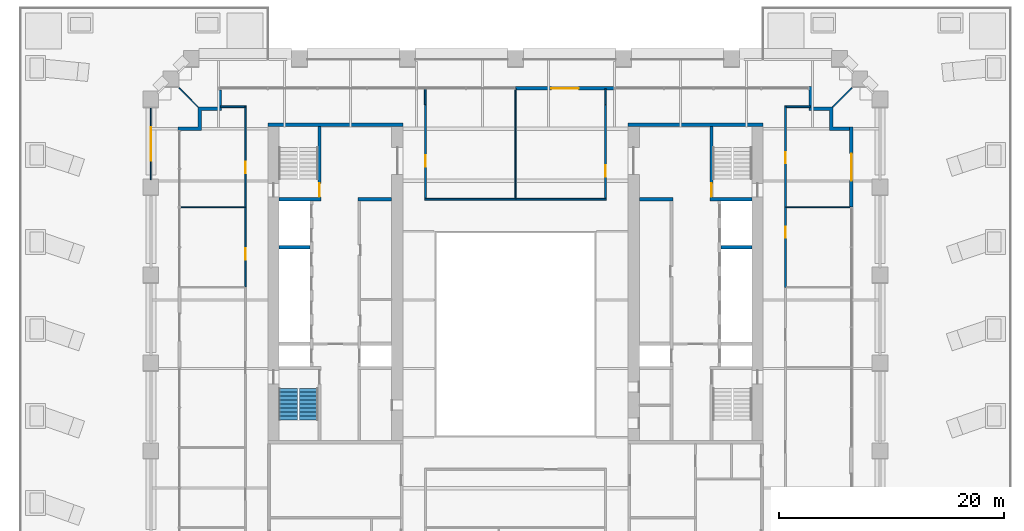
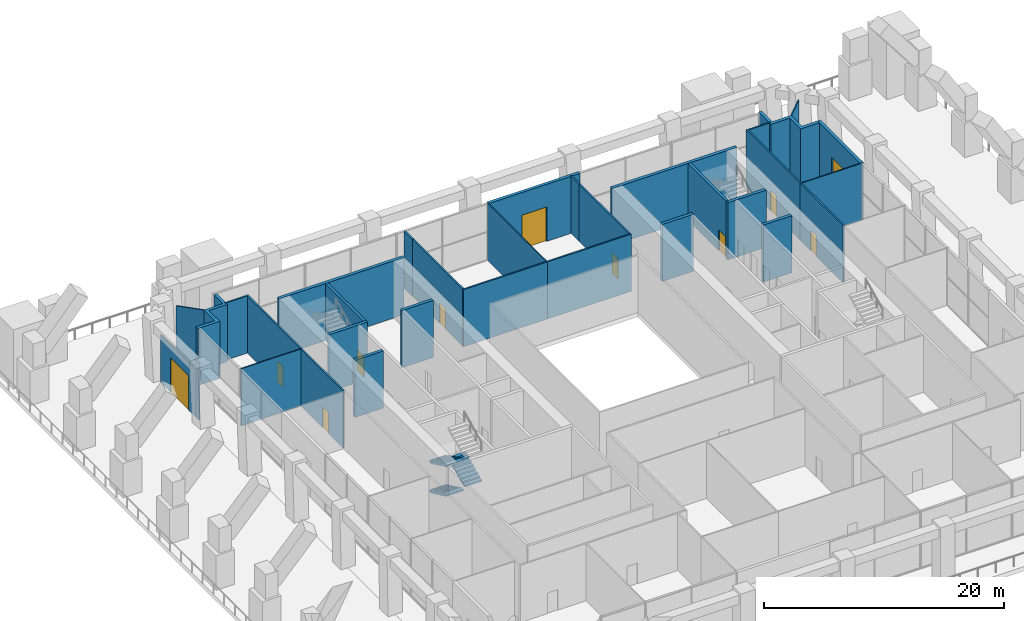
# One storey, part 16 of 20: 33 walls, 11 doors, 3 stair flights, 11 openings, 1 element without a shape of its own.
"""IFC4 building model written with IfcOpenShell, lengths in metres."""

from ifc_helpers import new_model, si_unit, direction, frame, frame_2d, origin, place, context, subcontext, project, spatial, polyline, rectangle, outline, extrude, material, layer, layer_set, type_object, element, fill, aggregate, save


model = new_model("IFC4")

# Units and contexts
model_context = context("Model", 3, precision=1e-05, world=origin(), true_north=direction((0.0, 1.0)))
body_context = subcontext(model_context, "Body", "Model", "MODEL_VIEW")
ifc_project = project(units=[si_unit("LENGTHUNIT", "METRE"), si_unit("AREAUNIT", "SQUARE_METRE"), si_unit("VOLUMEUNIT", "CUBIC_METRE"), si_unit("PLANEANGLEUNIT", "RADIAN"), si_unit("MASSUNIT", "GRAM", prefix="KILO")], contexts=[model_context])

# Site, building, storey
site_placement = place(None, origin())
site = spatial("IfcSite", under=ifc_project, at=site_placement, CompositionType="ELEMENT")
building_placement = place(site_placement, origin())
building = spatial("IfcBuilding", under=site, at=building_placement, Name="Ogive Exchange Tower", CompositionType="ELEMENT")
storey_placement = place(building_placement, frame((0.0, 0.0, 33.60009765625)))
storey = spatial("IfcBuildingStorey", under=building, at=storey_placement, Name="L06", CompositionType="ELEMENT", Elevation=33.60009765625)

# Walls
ifc_material_1 = material(Name="Gypsum board partition")
ifc_layer_1 = layer(ifc_material_1, 0.300048828125)
ifc_layer_set_1 = layer_set([ifc_layer_1], Name="Core room partition 300 gypsum")
wall_type_1 = type_object("IfcWallType", Name="Core room partition 300 gypsum", PredefinedType="PARTITIONING", material=ifc_layer_set_1)
for number, where, z_axis, x_axis, name in (
    (1, (-14.0, 19.0, 0.0), (0.0, 0.0, 1.0), (1.0, 0.0, 0.0), "W row B room end wall 7"),
    (2, (11.0, 19.0, 0.0), (0.0, 0.0, 1.0), (1.0, 0.0, 0.0), "E row B room end wall 7"),
):
    element("IfcWall", number, at=place(storey_placement, frame(where, z_axis=z_axis, x_axis=x_axis)), inside=storey, type_object=wall_type_1, Name=name, PredefinedType="PARTITIONING", context=body_context, shape_type="SweptSolid", body=[
        extrude(rectangle(XDim=3.0, YDim=0.300048828125, at=frame_2d((1.5, 0.0))), origin(), (0.0, 0.0, 1.0), 5.7998046875),
    ])

# Wall, opening, door
ifc_material_2 = material(Name="Fire partition EI 60 150")
ifc_layer_2 = layer(ifc_material_2, 0.14990234375)
ifc_layer_set_2 = layer_set([ifc_layer_2], Name="Fire partition EI 60 150")
wall_type_2 = type_object("IfcWallType", Name="Fire partition EI 60 150", PredefinedType="PARTITIONING", material=ifc_layer_set_2)
wall_1_placement = place(storey_placement, frame((-24.0, 11.219970703125, 0.0), z_axis=(0.0, 0.0, 1.0), x_axis=(0.0, 1.0, 0.0)))
wall_1 = element("IfcWall", 3, at=wall_1_placement, inside=storey, type_object=wall_type_2, Name="L06-PWL-009", PredefinedType="PARTITIONING", context=body_context, shape_type="SweptSolid", body=[
    extrude(rectangle(XDim=7.070068359375, YDim=0.14990234375, at=frame_2d((3.53515625, 0.0))), origin(), (0.0, 0.0, 1.0), 5.7998046875),
])
opening_1_placement = place(wall_1_placement, frame((2.419921875, 0.0, 0.0)))
opening_1 = element("IfcOpeningElement", 4, at=opening_1_placement, cuts=wall_1, Name="Opening L06-I10", PredefinedType="OPENING", context=body_context, shape_type="SweptSolid", body=[
    extrude(rectangle(XDim=1.0, YDim=2.10009765625, at=frame_2d((0.5, 1.050048828125))), frame((0.0, 0.0849609375, 0.0), z_axis=(0.0, -1.0, 0.0), x_axis=(1.0, 0.0, 0.0)), (0.0, 0.0, 1.0), 0.169921875),
])
ifc_material_3 = material(Name="Fire door FD 30S 1000 x 2100")
door_type_1 = type_object("IfcDoorType", Name="Fire door FD 30S 1000 x 2100", OperationType="NOTDEFINED", PredefinedType="DOOR", material=ifc_material_3)
door_1_placement = place(opening_1_placement, origin())
door_1 = element("IfcDoor", 5, at=door_1_placement, inside=storey, type_object=door_type_1, Name="L06-IDR-010", ObjectType="DT3", OperationType="SINGLE_SWING_RIGHT", OverallHeight=2.10009765625, OverallWidth=1.0, PredefinedType="DOOR", context=body_context, shape_type="SweptSolid", body=[
    extrude(rectangle(XDim=1.0, YDim=2.10009765625, at=frame_2d((0.5, 1.050048828125))), frame((0.0, 0.02490234375, 0.0), z_axis=(0.0, -1.0, 0.0), x_axis=(1.0, 0.0, 0.0)), (0.0, 0.0, 1.0), 0.050048828125),
])
fill(opening_1, door_1)

wall_2_placement = place(storey_placement, frame((-24.0, 18.2900390625, 0.0), z_axis=(0.0, 0.0, 1.0), x_axis=(0.0, 1.0, 0.0)))
wall_2 = element("IfcWall", 6, at=wall_2_placement, inside=storey, type_object=wall_type_2, Name="L06-PWL-011", PredefinedType="PARTITIONING", context=body_context, shape_type="SweptSolid", body=[
    extrude(rectangle(XDim=8.994873046875, YDim=0.14990234375, at=frame_2d((4.49755859375, 0.0))), origin(), (0.0, 0.0, 1.0), 5.7998046875),
])
opening_2_placement = place(wall_2_placement, frame((3.02001953125, 0.0, 0.0)))
opening_2 = element("IfcOpeningElement", 7, at=opening_2_placement, cuts=wall_2, Name="Opening L06-I09", PredefinedType="OPENING", context=body_context, shape_type="SweptSolid", body=[
    extrude(rectangle(XDim=1.0, YDim=2.10009765625, at=frame_2d((0.5, 1.050048828125))), frame((0.0, 0.0849609375, 0.0), z_axis=(0.0, -1.0, 0.0), x_axis=(1.0, 0.0, 0.0)), (0.0, 0.0, 1.0), 0.169921875),
])
door_2_placement = place(opening_2_placement, origin())
door_2 = element("IfcDoor", 8, at=door_2_placement, inside=storey, type_object=door_type_1, Name="L06-IDR-009", ObjectType="DT3", OperationType="SINGLE_SWING_RIGHT", OverallHeight=2.10009765625, OverallWidth=1.0, PredefinedType="DOOR", context=body_context, shape_type="SweptSolid", body=[
    extrude(rectangle(XDim=1.0, YDim=2.10009765625, at=frame_2d((0.5, 1.050048828125))), frame((0.0, 0.02490234375, 0.0), z_axis=(0.0, -1.0, 0.0), x_axis=(1.0, 0.0, 0.0)), (0.0, 0.0, 1.0), 0.050048828125),
])
fill(opening_2, door_2)

# Walls
wall_3_placement = place(storey_placement, frame((-24.074951171875, 27.2099609375, 0.0), z_axis=(0.0, 0.0, 1.0), x_axis=(-1.0, 0.0, 0.0)))
element("IfcWall", 9, at=wall_3_placement, inside=storey, type_object=wall_type_2, Name="L06-PWL-012", PredefinedType="PARTITIONING", context=body_context, shape_type="SweptSolid", body=[
    extrude(rectangle(XDim=2.125, YDim=0.14990234375, at=frame_2d((1.0625, 0.0))), origin(), (0.0, 0.0, 1.0), 5.7998046875),
])
wall_4_placement = place(storey_placement, frame((-8.010009765625, 28.800048828125, 0.0), z_axis=(0.0, 0.0, 1.0), x_axis=(0.0, -1.0, 0.0)))
element("IfcWall", 10, at=wall_4_placement, inside=storey, type_object=wall_type_2, Name="L06-PWL-019", PredefinedType="PARTITIONING", context=body_context, shape_type="SweptSolid", body=[
    extrude(rectangle(XDim=1.400146484375, YDim=0.14990234375, at=frame_2d((0.7001953125, 0.0))), origin(), (0.0, 0.0, 1.0), 5.7998046875),
])
wall_5_placement = place(storey_placement, frame((-8.074951171875, 19.0, 0.0), z_axis=(0.0, 0.0, 1.0), x_axis=(1.0, 0.0, 0.0)))
element("IfcWall", 11, at=wall_5_placement, inside=storey, type_object=wall_type_2, Name="L06-PWL-023", PredefinedType="PARTITIONING", context=body_context, shape_type="SweptSolid", body=[
    extrude(rectangle(XDim=8.125, YDim=0.14990234375, at=frame_2d((4.0625, 0.0))), origin(), (0.0, 0.0, 1.0), 5.7998046875),
])

# Wall, opening, door
wall_6_placement = place(storey_placement, frame((-8.0, 27.39990234375, 0.0), z_axis=(0.0, 0.0, 1.0), x_axis=(0.0, -1.0, 0.0)))
wall_6 = element("IfcWall", 12, at=wall_6_placement, inside=storey, type_object=wall_type_2, Name="L06-PWL-024", PredefinedType="PARTITIONING", context=body_context, shape_type="SweptSolid", body=[
    extrude(rectangle(XDim=8.324951171875, YDim=0.14990234375, at=frame_2d((4.16259765625, 0.0))), origin(), (0.0, 0.0, 1.0), 5.7998046875),
])
opening_3_placement = place(wall_6_placement, frame((4.5, 0.0, 0.0)))
opening_3 = element("IfcOpeningElement", 13, at=opening_3_placement, cuts=wall_6, Name="Opening L06-I08", PredefinedType="OPENING", context=body_context, shape_type="SweptSolid", body=[
    extrude(rectangle(XDim=1.0, YDim=2.10009765625, at=frame_2d((0.5, 1.050048828125))), frame((0.0, 0.0849609375, 0.0), z_axis=(0.0, -1.0, 0.0), x_axis=(1.0, 0.0, 0.0)), (0.0, 0.0, 1.0), 0.169921875),
])
door_3_placement = place(opening_3_placement, origin())
door_3 = element("IfcDoor", 14, at=door_3_placement, inside=storey, type_object=door_type_1, Name="L06-IDR-008", ObjectType="DT3", OperationType="SINGLE_SWING_LEFT", OverallHeight=2.10009765625, OverallWidth=1.0, PredefinedType="DOOR", context=body_context, shape_type="SweptSolid", body=[
    extrude(rectangle(XDim=1.0, YDim=2.10009765625, at=frame_2d((0.5, 1.050048828125))), frame((0.0, 0.02490234375, 0.0), z_axis=(0.0, -1.0, 0.0), x_axis=(1.0, 0.0, 0.0)), (0.0, 0.0, 1.0), 0.050048828125),
])
fill(opening_3, door_3)

# Wall
wall_7_placement = place(storey_placement, frame((0.0, 19.0, 0.0), z_axis=(0.0, 0.0, 1.0), x_axis=(1.0, 0.0, 0.0)))
element("IfcWall", 15, at=wall_7_placement, inside=storey, type_object=wall_type_2, Name="L06-PWL-029", PredefinedType="PARTITIONING", context=body_context, shape_type="SweptSolid", body=[
    extrude(rectangle(XDim=8.074951171875, YDim=0.14990234375, at=frame_2d((4.03759765625, 0.0))), origin(), (0.0, 0.0, 1.0), 5.7998046875),
])

# Wall, opening, door
wall_8_placement = place(storey_placement, frame((8.0, 19.074951171875, 0.0), z_axis=(0.0, 0.0, 1.0), x_axis=(0.0, 1.0, 0.0)))
wall_8 = element("IfcWall", 16, at=wall_8_placement, inside=storey, type_object=wall_type_2, Name="L06-PWL-034", PredefinedType="PARTITIONING", context=body_context, shape_type="SweptSolid", body=[
    extrude(rectangle(XDim=8.324951171875, YDim=0.14990234375, at=frame_2d((4.16259765625, 0.0))), origin(), (0.0, 0.0, 1.0), 5.7998046875),
])
opening_4_placement = place(wall_8_placement, frame((1.925048828125, 0.0, 0.0)))
opening_4 = element("IfcOpeningElement", 17, at=opening_4_placement, cuts=wall_8, Name="Opening L06-I07", PredefinedType="OPENING", context=body_context, shape_type="SweptSolid", body=[
    extrude(rectangle(XDim=1.0, YDim=2.10009765625, at=frame_2d((0.5, 1.050048828125))), frame((0.0, 0.0849609375, 0.0), z_axis=(0.0, -1.0, 0.0), x_axis=(1.0, 0.0, 0.0)), (0.0, 0.0, 1.0), 0.169921875),
])
door_4_placement = place(opening_4_placement, origin())
door_4 = element("IfcDoor", 18, at=door_4_placement, inside=storey, type_object=door_type_1, Name="L06-IDR-007", ObjectType="DT3", OperationType="SINGLE_SWING_RIGHT", OverallHeight=2.10009765625, OverallWidth=1.0, PredefinedType="DOOR", context=body_context, shape_type="SweptSolid", body=[
    extrude(rectangle(XDim=1.0, YDim=2.10009765625, at=frame_2d((0.5, 1.050048828125))), frame((0.0, 0.02490234375, 0.0), z_axis=(0.0, -1.0, 0.0), x_axis=(1.0, 0.0, 0.0)), (0.0, 0.0, 1.0), 0.050048828125),
])
fill(opening_4, door_4)

# Wall
wall_9_placement = place(storey_placement, frame((8.010009765625, 27.39990234375, 0.0), z_axis=(0.0, 0.0, 1.0), x_axis=(0.0, 1.0, 0.0)))
element("IfcWall", 19, at=wall_9_placement, inside=storey, type_object=wall_type_2, Name="L06-PWL-035", PredefinedType="PARTITIONING", context=body_context, shape_type="SweptSolid", body=[
    extrude(rectangle(XDim=1.400146484375, YDim=0.14990234375, at=frame_2d((0.7001953125, 0.0))), origin(), (0.0, 0.0, 1.0), 5.7998046875),
])

# Wall, opening, door
wall_10_placement = place(storey_placement, frame((24.0, 18.2900390625, 0.0), z_axis=(0.0, 0.0, 1.0), x_axis=(0.0, -1.0, 0.0)))
wall_10 = element("IfcWall", 20, at=wall_10_placement, inside=storey, type_object=wall_type_2, Name="L06-PWL-050", PredefinedType="PARTITIONING", context=body_context, shape_type="SweptSolid", body=[
    extrude(rectangle(XDim=7.1201171875, YDim=0.14990234375, at=frame_2d((3.56005859375, 0.0))), origin(), (0.0, 0.0, 1.0), 5.7998046875),
])
opening_5_placement = place(wall_10_placement, frame((1.719970703125, 0.0, 0.0)))
opening_5 = element("IfcOpeningElement", 21, at=opening_5_placement, cuts=wall_10, Name="Opening L06-I05", PredefinedType="OPENING", context=body_context, shape_type="SweptSolid", body=[
    extrude(rectangle(XDim=1.0, YDim=2.10009765625, at=frame_2d((0.5, 1.050048828125))), frame((0.0, 0.0849609375, 0.0), z_axis=(0.0, -1.0, 0.0), x_axis=(1.0, 0.0, 0.0)), (0.0, 0.0, 1.0), 0.169921875),
])
door_5_placement = place(opening_5_placement, origin())
door_5 = element("IfcDoor", 22, at=door_5_placement, inside=storey, type_object=door_type_1, Name="L06-IDR-005", ObjectType="DT3", OperationType="SINGLE_SWING_RIGHT", OverallHeight=2.10009765625, OverallWidth=1.0, PredefinedType="DOOR", context=body_context, shape_type="SweptSolid", body=[
    extrude(rectangle(XDim=1.0, YDim=2.10009765625, at=frame_2d((0.5, 1.050048828125))), frame((0.0, 0.02490234375, 0.0), z_axis=(0.0, -1.0, 0.0), x_axis=(1.0, 0.0, 0.0)), (0.0, 0.0, 1.0), 0.050048828125),
])
fill(opening_5, door_5)

wall_11_placement = place(storey_placement, frame((24.0, 27.284912109375, 0.0), z_axis=(0.0, 0.0, 1.0), x_axis=(0.0, -1.0, 0.0)))
wall_11 = element("IfcWall", 23, at=wall_11_placement, inside=storey, type_object=wall_type_2, Name="L06-PWL-052", PredefinedType="PARTITIONING", context=body_context, shape_type="SweptSolid", body=[
    extrude(rectangle(XDim=8.994873046875, YDim=0.14990234375, at=frame_2d((4.49755859375, 0.0))), origin(), (0.0, 0.0, 1.0), 5.7998046875),
])
opening_6_placement = place(wall_11_placement, frame((4.094970703125, 0.0, 0.0)))
opening_6 = element("IfcOpeningElement", 24, at=opening_6_placement, cuts=wall_11, Name="Opening L06-I06", PredefinedType="OPENING", context=body_context, shape_type="SweptSolid", body=[
    extrude(rectangle(XDim=1.0, YDim=2.10009765625, at=frame_2d((0.5, 1.050048828125))), frame((0.0, 0.0849609375, 0.0), z_axis=(0.0, -1.0, 0.0), x_axis=(1.0, 0.0, 0.0)), (0.0, 0.0, 1.0), 0.169921875),
])
door_6_placement = place(opening_6_placement, origin())
door_6 = element("IfcDoor", 25, at=door_6_placement, inside=storey, type_object=door_type_1, Name="L06-IDR-006", ObjectType="DT3", OperationType="SINGLE_SWING_RIGHT", OverallHeight=2.10009765625, OverallWidth=1.0, PredefinedType="DOOR", context=body_context, shape_type="SweptSolid", body=[
    extrude(rectangle(XDim=1.0, YDim=2.10009765625, at=frame_2d((0.5, 1.050048828125))), frame((0.0, 0.02490234375, 0.0), z_axis=(0.0, -1.0, 0.0), x_axis=(1.0, 0.0, 0.0)), (0.0, 0.0, 1.0), 0.050048828125),
])
fill(opening_6, door_6)

# Wall
wall_12_placement = place(storey_placement, frame((26.199951171875, 27.2099609375, 0.0), z_axis=(0.0, 0.0, 1.0), x_axis=(-1.0, 0.0, 0.0)))
element("IfcWall", 26, at=wall_12_placement, inside=storey, type_object=wall_type_2, Name="L06-PWL-053", PredefinedType="PARTITIONING", context=body_context, shape_type="SweptSolid", body=[
    extrude(rectangle(XDim=2.125, YDim=0.14990234375, at=frame_2d((1.0625, 0.0))), origin(), (0.0, 0.0, 1.0), 5.7998046875),
])

# Wall, opening, door
ifc_material_4 = material(Name="Precast concrete C40/50", Category="concrete")
ifc_layer_3 = layer(ifc_material_4, 0.300048828125)
ifc_layer_set_3 = layer_set([ifc_layer_3], Name="Limestone-faced wall 300")
wall_type_3 = type_object("IfcWallType", Name="Limestone-faced wall 300", PredefinedType="STANDARD", material=ifc_layer_set_3)
wall_13_placement = place(storey_placement, frame((29.85009765625, 18.28564453125, 0.0), z_axis=(0.0, 0.0, 1.0), x_axis=(0.0, 1.0, 0.0)))
wall_13 = element("IfcWall", 27, at=wall_13_placement, inside=storey, type_object=wall_type_3, Name="External wall E3", PredefinedType="STANDARD", context=body_context, shape_type="SweptSolid", body=[
    extrude(rectangle(XDim=7.1142578125, YDim=0.300048828125, at=frame_2d((3.55712890625, 0.0))), origin(), (0.0, 0.0, 1.0), 5.7998046875),
])
opening_7_placement = place(wall_13_placement, frame((2.357177734375, 0.0, 0.0)))
opening_7 = element("IfcOpeningElement", 28, at=opening_7_placement, cuts=wall_13, Name="Opening D1", PredefinedType="OPENING", context=body_context, shape_type="SweptSolid", body=[
    extrude(rectangle(XDim=2.39990234375, YDim=3.5, at=frame_2d((1.199951171875, 1.75))), frame((0.0, 0.159912109375, 0.0), z_axis=(0.0, -1.0, 0.0), x_axis=(1.0, 0.0, 0.0)), (0.0, 0.0, 1.0), 0.320068359375),
])
ifc_material_5 = material(Name="Clear glass in bronze frame", Category="glass")
door_type_2 = type_object("IfcDoorType", Name="Sliding loggia door 2400 x 3500", OperationType="DOUBLE_DOOR_SLIDING", PredefinedType="DOOR", material=ifc_material_5)
door_7_placement = place(opening_7_placement, origin())
door_7 = element("IfcDoor", 29, at=door_7_placement, inside=storey, type_object=door_type_2, Name="Loggia door E06", OperationType="DOUBLE_DOOR_SLIDING", OverallHeight=3.5, OverallWidth=2.39990234375, PredefinedType="DOOR", context=body_context, shape_type="SweptSolid", body=[
    extrude(rectangle(XDim=2.39990234375, YDim=3.5, at=frame_2d((1.199951171875, 1.75))), frame((0.0, 0.02490234375, 0.0), z_axis=(0.0, -1.0, 0.0), x_axis=(1.0, 0.0, 0.0)), (0.0, 0.0, 1.0), 0.050048828125),
])
fill(opening_7, door_7)

wall_14_placement = place(storey_placement, frame((8.800048828125, 28.85009765625, 0.0), z_axis=(0.0, 0.0, 1.0), x_axis=(-1.0, 0.0, 0.0)))
wall_14 = element("IfcWall", 30, at=wall_14_placement, inside=storey, type_object=wall_type_3, Name="External wall N4", PredefinedType="STANDARD", context=body_context, shape_type="SweptSolid", body=[
    extrude(rectangle(XDim=8.800048828125, YDim=0.300048828125, at=frame_2d((4.39990234375, 0.0))), origin(), (0.0, 0.0, 1.0), 5.7998046875),
])
opening_8_placement = place(wall_14_placement, frame((3.199951171875, 0.0, 0.0)))
opening_8 = element("IfcOpeningElement", 31, at=opening_8_placement, cuts=wall_14, Name="Opening D1", PredefinedType="OPENING", context=body_context, shape_type="SweptSolid", body=[
    extrude(rectangle(XDim=2.39990234375, YDim=3.5, at=frame_2d((1.199951171875, 1.75))), frame((0.0, 0.159912109375, 0.0), z_axis=(0.0, -1.0, 0.0), x_axis=(1.0, 0.0, 0.0)), (0.0, 0.0, 1.0), 0.320068359375),
])
door_8_placement = place(opening_8_placement, origin())
door_8 = element("IfcDoor", 32, at=door_8_placement, inside=storey, type_object=door_type_2, Name="Loggia door N02", OperationType="DOUBLE_DOOR_SLIDING", OverallHeight=3.5, OverallWidth=2.39990234375, PredefinedType="DOOR", context=body_context, shape_type="SweptSolid", body=[
    extrude(rectangle(XDim=2.39990234375, YDim=3.5, at=frame_2d((1.199951171875, 1.75))), frame((0.0, 0.02490234375, 0.0), z_axis=(0.0, -1.0, 0.0), x_axis=(1.0, 0.0, 0.0)), (0.0, 0.0, 1.0), 0.050048828125),
])
fill(opening_8, door_8)

# Walls
wall_15_placement = place(storey_placement, origin())
element("IfcWall", 33, at=wall_15_placement, inside=storey, type_object=wall_type_3, Name="External corner wall C2", PredefinedType="STANDARD", context=body_context, shape_type="SweptSolid", body=[
    extrude(outline(polyline([(27.89990234375, 26.89990234375), (26.10009765625, 26.89990234375), (26.10009765625, 29.0), (26.39990234375, 29.0), (26.39990234375, 27.199951171875), (28.199951171875, 27.199951171875), (28.199951171875, 25.39990234375), (29.699951171875, 25.39990234375), (29.699951171875, 25.10009765625), (27.89990234375, 25.10009765625), (27.89990234375, 26.89990234375)])), origin(), (0.0, 0.0, 1.0), 5.7998046875),
])
wall_16_placement = place(storey_placement, origin())
element("IfcWall", 34, at=wall_16_placement, inside=storey, type_object=wall_type_3, Name="External corner wall C3", PredefinedType="STANDARD", context=body_context, shape_type="SweptSolid", body=[
    extrude(outline(polyline([(-28.199951171875, 25.39990234375), (-28.199951171875, 27.199951171875), (-26.39990234375, 27.199951171875), (-26.39990234375, 28.699951171875), (-26.10009765625, 28.699951171875), (-26.10009765625, 26.89990234375), (-27.89990234375, 26.89990234375), (-27.89990234375, 25.10009765625), (-30.0, 25.10009765625), (-30.0, 25.39990234375), (-28.199951171875, 25.39990234375)])), origin(), (0.0, 0.0, 1.0), 5.7998046875),
])
ifc_material_6 = material(Name="Laminated safety glass in steel frame", Category="steel")
ifc_layer_4 = layer(ifc_material_6, 0.10009765625)
ifc_layer_set_4 = layer_set([ifc_layer_4], Name="Loggia end screen 100")
wall_type_4 = type_object("IfcWallType", Name="Loggia end screen 100", PredefinedType="STANDARD", material=ifc_layer_set_4)
for number, where, z_axis, x_axis, name in (
    (35, (28.199951171875, 27.199951171875, 0.0), (0.0, 0.0, 1.0), (0.707106781187, 0.707106781187, 0.0), "Loggia end screen C2"),
    (36, (-28.199951171875, 27.199951171875, 0.0), (0.0, 0.0, 1.0), (-0.707106781187, 0.707106781187, 0.0), "Loggia end screen C3"),
):
    element("IfcWall", number, at=place(storey_placement, frame(where, z_axis=z_axis, x_axis=x_axis)), inside=storey, type_object=wall_type_4, Name=name, PredefinedType="STANDARD", context=body_context, shape_type="SweptSolid", body=[
        extrude(rectangle(XDim=2.384521484375, YDim=0.10009765625, at=frame_2d((1.1923828125, 0.0))), origin(), (0.0, 0.0, 1.0), 5.7998046875),
    ])

# Wall, opening, door
wall_17_placement = place(storey_placement, frame((-32.39990234375, 27.080078125, 0.0), z_axis=(0.0, 0.0, 1.0), x_axis=(0.0, -1.0, 0.0)))
wall_17 = element("IfcWall", 37, at=wall_17_placement, inside=storey, type_object=wall_type_4, Name="Terrace screen W00", PredefinedType="STANDARD", context=body_context, shape_type="SweptSolid", body=[
    extrude(rectangle(XDim=5.9326171875, YDim=0.10009765625, at=frame_2d((2.96630859375, 0.0))), origin(), (0.0, 0.0, 1.0), 4.849853515625),
])
opening_9_placement = place(wall_17_placement, frame((1.679931640625, 0.0, 0.0)))
opening_9 = element("IfcOpeningElement", 38, at=opening_9_placement, cuts=wall_17, Name="Opening D4", PredefinedType="OPENING", context=body_context, shape_type="SweptSolid", body=[
    extrude(rectangle(XDim=3.0, YDim=3.5, at=frame_2d((1.5, 1.75))), frame((0.0, 0.06005859375, 0.0), z_axis=(0.0, -1.0, 0.0), x_axis=(1.0, 0.0, 0.0)), (0.0, 0.0, 1.0), 0.1201171875),
])
door_type_3 = type_object("IfcDoorType", Name="Terrace sliding door 3000 x 3500", OperationType="DOUBLE_DOOR_SLIDING", PredefinedType="DOOR", material=ifc_material_5)
door_9_placement = place(opening_9_placement, origin())
door_9 = element("IfcDoor", 39, at=door_9_placement, inside=storey, type_object=door_type_3, Name="Terrace door W00", OperationType="DOUBLE_DOOR_SLIDING", OverallHeight=3.5, OverallWidth=3.0, PredefinedType="DOOR", context=body_context, shape_type="SweptSolid", body=[
    extrude(rectangle(XDim=3.0, YDim=3.5, at=frame_2d((1.5, 1.75))), frame((0.0, 0.02490234375, 0.0), z_axis=(0.0, -1.0, 0.0), x_axis=(1.0, 0.0, 0.0)), (0.0, 0.0, 1.0), 0.050048828125),
])
fill(opening_9, door_9)

# Walls
wall_18_placement = place(storey_placement, frame((-32.39990234375, 21.1474609375, 0.0), z_axis=(0.0, 0.0, 1.0), x_axis=(0.0, -1.0, 0.0)))
element("IfcWall", 40, at=wall_18_placement, inside=storey, type_object=wall_type_4, Name="Terrace screen W00", PredefinedType="STANDARD", context=body_context, shape_type="SweptSolid", body=[
    extrude(rectangle(XDim=0.427490234375, YDim=0.10009765625, at=frame_2d((0.2138671875, 0.0))), origin(), (0.0, 0.0, 1.0), 5.7998046875),
])
ifc_material_7 = material(Name="Partition 100 gypsum")
ifc_layer_5 = layer(ifc_material_7, 0.10009765625)
ifc_layer_set_5 = layer_set([ifc_layer_5], Name="Partition 100 gypsum")
wall_type_5 = type_object("IfcWallType", Name="Partition 100 gypsum", PredefinedType="PARTITIONING", material=ifc_layer_set_5)
wall_19_placement = place(storey_placement, frame((-24.074951171875, 18.2900390625, 0.0), z_axis=(0.0, 0.0, 1.0), x_axis=(-1.0, 0.0, 0.0)))
element("IfcWall", 41, at=wall_19_placement, inside=storey, type_object=wall_type_5, Name="L06-PWL-010", PredefinedType="PARTITIONING", context=body_context, shape_type="SweptSolid", body=[
    extrude(rectangle(XDim=5.72509765625, YDim=0.10009765625, at=frame_2d((2.862548828125, 0.0))), origin(), (0.0, 0.0, 1.0), 5.7998046875),
])
wall_20_placement = place(storey_placement, frame((0.0, 19.074951171875, 0.0), z_axis=(0.0, 0.0, 1.0), x_axis=(0.0, 1.0, 0.0)))
element("IfcWall", 42, at=wall_20_placement, inside=storey, type_object=wall_type_5, Name="L06-PWL-028", PredefinedType="PARTITIONING", context=body_context, shape_type="SweptSolid", body=[
    extrude(rectangle(XDim=9.72509765625, YDim=0.10009765625, at=frame_2d((4.862548828125, 0.0))), origin(), (0.0, 0.0, 1.0), 5.7998046875),
])
wall_21_placement = place(storey_placement, frame((24.074951171875, 18.2900390625, 0.0), z_axis=(0.0, 0.0, 1.0), x_axis=(1.0, 0.0, 0.0)))
element("IfcWall", 43, at=wall_21_placement, inside=storey, type_object=wall_type_5, Name="L06-PWL-051", PredefinedType="PARTITIONING", context=body_context, shape_type="SweptSolid", body=[
    extrude(rectangle(XDim=5.72509765625, YDim=0.10009765625, at=frame_2d((2.862548828125, 0.0))), origin(), (0.0, 0.0, 1.0), 5.7998046875),
])

# Wall, opening, door
ifc_material_8 = material(Name="Concrete C70/85", Category="concrete")
ifc_layer_6 = layer(ifc_material_8, 0.25)
ifc_layer_set_6 = layer_set([ifc_layer_6], Name="RC core wall 250 C70/85")
wall_type_6 = type_object("IfcWallType", Name="RC core wall 250 C70/85", PredefinedType="SHEAR", material=ifc_layer_set_6)
wall_22_placement = place(storey_placement, frame((-17.425048828125, 19.14990234375, 0.0), z_axis=(0.0, 0.0, 1.0), x_axis=(0.0, 1.0, 0.0)))
wall_22 = element("IfcWall", 44, at=wall_22_placement, inside=storey, type_object=wall_type_6, Name="W stair N front wall", PredefinedType="SHEAR", context=body_context, shape_type="SweptSolid", body=[
    extrude(rectangle(XDim=6.300048828125, YDim=0.25, at=frame_2d((3.14990234375, 0.0))), origin(), (0.0, 0.0, 1.0), 5.7998046875),
])
opening_10_placement = place(wall_22_placement, frame((0.050048828125, 0.0, 0.0)))
opening_10 = element("IfcOpeningElement", 45, at=opening_10_placement, cuts=wall_22, Name="Opening L06-C15", PredefinedType="OPENING", context=body_context, shape_type="SweptSolid", body=[
    extrude(rectangle(XDim=1.199951171875, YDim=2.10009765625, at=frame_2d((0.60009765625, 1.050048828125))), frame((0.0, 0.135009765625, 0.0), z_axis=(0.0, -1.0, 0.0), x_axis=(1.0, 0.0, 0.0)), (0.0, 0.0, 1.0), 0.27001953125),
])
ifc_material_9 = material(Name="Steel fire door", Category="steel")
door_type_4 = type_object("IfcDoorType", Name="Stair door FD90 1200 x 2100", OperationType="NOTDEFINED", PredefinedType="DOOR", material=ifc_material_9)
door_10_placement = place(opening_10_placement, origin())
door_10 = element("IfcDoor", 46, at=door_10_placement, inside=storey, type_object=door_type_4, Name="Stair door", ObjectType="CD5", OperationType="SINGLE_SWING_RIGHT", OverallHeight=2.10009765625, OverallWidth=1.199951171875, PredefinedType="DOOR", context=body_context, shape_type="SweptSolid", body=[
    extrude(rectangle(XDim=1.199951171875, YDim=2.10009765625, at=frame_2d((0.60009765625, 1.050048828125))), frame((0.0, 0.02490234375, 0.0), z_axis=(0.0, -1.0, 0.0), x_axis=(1.0, 0.0, 0.0)), (0.0, 0.0, 1.0), 0.050048828125),
])
fill(opening_10, door_10)

wall_23_placement = place(storey_placement, frame((17.425048828125, 19.14990234375, 0.0), z_axis=(0.0, 0.0, 1.0), x_axis=(0.0, 1.0, 0.0)))
wall_23 = element("IfcWall", 47, at=wall_23_placement, inside=storey, type_object=wall_type_6, Name="E stair N front wall", PredefinedType="SHEAR", context=body_context, shape_type="SweptSolid", body=[
    extrude(rectangle(XDim=6.300048828125, YDim=0.25, at=frame_2d((3.14990234375, 0.0))), origin(), (0.0, 0.0, 1.0), 5.7998046875),
])
opening_11_placement = place(wall_23_placement, frame((0.050048828125, 0.0, 0.0)))
opening_11 = element("IfcOpeningElement", 48, at=opening_11_placement, cuts=wall_23, Name="Opening L06-C35", PredefinedType="OPENING", context=body_context, shape_type="SweptSolid", body=[
    extrude(rectangle(XDim=1.199951171875, YDim=2.10009765625, at=frame_2d((0.60009765625, 1.050048828125))), frame((0.0, 0.135009765625, 0.0), z_axis=(0.0, -1.0, 0.0), x_axis=(1.0, 0.0, 0.0)), (0.0, 0.0, 1.0), 0.27001953125),
])
door_11_placement = place(opening_11_placement, frame((1.199951171875, 0.0, 0.0), z_axis=(0.0, 0.0, 1.0), x_axis=(-1.0, 0.0, 0.0)))
door_11 = element("IfcDoor", 49, at=door_11_placement, inside=storey, type_object=door_type_4, Name="Stair door", ObjectType="CD5", OperationType="SINGLE_SWING_LEFT", OverallHeight=2.10009765625, OverallWidth=1.199951171875, PredefinedType="DOOR", context=body_context, shape_type="SweptSolid", body=[
    extrude(rectangle(XDim=1.199951171875, YDim=2.10009765625, at=frame_2d((0.60009765625, 1.050048828125))), frame((0.0, 0.02490234375, 0.0), z_axis=(0.0, -1.0, 0.0), x_axis=(1.0, 0.0, 0.0)), (0.0, 0.0, 1.0), 0.050048828125),
])
fill(opening_11, door_11)

# Walls
ifc_layer_7 = layer(ifc_material_8, 0.300048828125)
ifc_layer_set_7 = layer_set([ifc_layer_7], Name="RC core wall 300 C70/85")
wall_type_7 = type_object("IfcWallType", Name="RC core wall 300 C70/85", PredefinedType="SHEAR", material=ifc_layer_set_7)
wall_24_placement = place(storey_placement, frame((-22.0, 25.60009765625, 0.0), z_axis=(0.0, 0.0, 1.0), x_axis=(1.0, 0.0, 0.0)))
element("IfcWall", 50, at=wall_24_placement, inside=storey, type_object=wall_type_7, Name="W north end wall", PredefinedType="SHEAR", context=body_context, shape_type="SweptSolid", body=[
    extrude(rectangle(XDim=12.0, YDim=0.300048828125, at=frame_2d((6.0, 0.0))), origin(), (0.0, 0.0, 1.0), 5.7998046875),
])
wall_25_placement = place(storey_placement, frame((-21.0, 19.0, 0.0), z_axis=(0.0, 0.0, 1.0), x_axis=(1.0, 0.0, 0.0)))
element("IfcWall", 51, at=wall_25_placement, inside=storey, type_object=wall_type_7, Name="W stair N south wall", PredefinedType="SHEAR", context=body_context, shape_type="SweptSolid", body=[
    extrude(rectangle(XDim=3.699951171875, YDim=0.300048828125, at=frame_2d((1.85009765625, 0.0))), origin(), (0.0, 0.0, 1.0), 5.7998046875),
])
wall_26_placement = place(storey_placement, frame((-21.0, 14.71435546875, 0.0), z_axis=(0.0, 0.0, 1.0), x_axis=(1.0, 0.0, 0.0)))
element("IfcWall", 52, at=wall_26_placement, inside=storey, type_object=wall_type_7, Name="W row A divider 5", PredefinedType="SHEAR", context=body_context, shape_type="SweptSolid", body=[
    extrude(rectangle(XDim=2.75, YDim=0.300048828125, at=frame_2d((1.375, 0.0))), origin(), (0.0, 0.0, 1.0), 5.7998046875),
])
wall_27_placement = place(storey_placement, frame((10.0, 25.60009765625, 0.0), z_axis=(0.0, 0.0, 1.0), x_axis=(1.0, 0.0, 0.0)))
element("IfcWall", 53, at=wall_27_placement, inside=storey, type_object=wall_type_7, Name="E north end wall", PredefinedType="SHEAR", context=body_context, shape_type="SweptSolid", body=[
    extrude(rectangle(XDim=12.0, YDim=0.300048828125, at=frame_2d((6.0, 0.0))), origin(), (0.0, 0.0, 1.0), 5.7998046875),
])
wall_28_placement = place(storey_placement, frame((17.300048828125, 19.0, 0.0), z_axis=(0.0, 0.0, 1.0), x_axis=(1.0, 0.0, 0.0)))
element("IfcWall", 54, at=wall_28_placement, inside=storey, type_object=wall_type_7, Name="E stair N south wall", PredefinedType="SHEAR", context=body_context, shape_type="SweptSolid", body=[
    extrude(rectangle(XDim=3.699951171875, YDim=0.300048828125, at=frame_2d((1.85009765625, 0.0))), origin(), (0.0, 0.0, 1.0), 5.7998046875),
])
wall_29_placement = place(storey_placement, frame((18.25, 14.71435546875, 0.0), z_axis=(0.0, 0.0, 1.0), x_axis=(1.0, 0.0, 0.0)))
element("IfcWall", 55, at=wall_29_placement, inside=storey, type_object=wall_type_7, Name="E row A divider 5", PredefinedType="SHEAR", context=body_context, shape_type="SweptSolid", body=[
    extrude(rectangle(XDim=2.75, YDim=0.300048828125, at=frame_2d((1.375, 0.0))), origin(), (0.0, 0.0, 1.0), 5.7998046875),
])

# Stair, stair flights
ifc_material_10 = material(Name="Concrete C40/50", Category="concrete")
stair_type = type_object("IfcStairType", Name="Exit stair 1650 wide", PredefinedType="HALF_TURN_STAIR", material=ifc_material_10)
stair_placement = place(storey_placement, origin())
stair = element("IfcStair", 56, at=stair_placement, inside=storey, type_object=stair_type, Name="L06 exit stair ST1", PredefinedType="HALF_TURN_STAIR")
stair_flight_type = type_object("IfcStairFlightType", Name="Stair flight 1650 wide", PredefinedType="STRAIGHT", material=ifc_material_10)
stair_flight_1_placement = place(storey_placement, frame((-20.175048828125, 2.199951171875, 0.0), z_axis=(0.0, 0.0, 1.0), x_axis=(0.0, -1.0, 0.0)))
stair_flight_1 = element("IfcStairFlight", 57, at=stair_flight_1_placement, type_object=stair_flight_type, Name="ST1 flight 1", NumberOfRisers=9, NumberOfTreads=8, PredefinedType="STRAIGHT", RiserHeight=0.166666667, TreadLength=0.351, context=body_context, shape_type="SweptSolid", body=[
    extrude(outline(polyline([(0.0, 0.0), (0.0, 0.166748046875), (0.35107421875, 0.166748046875), (0.35107421875, 0.333251953125), (0.701904296875, 0.333251953125), (0.701904296875, 0.5), (1.052978515625, 0.5), (1.052978515625, 0.666748046875), (1.404052734375, 0.666748046875), (1.404052734375, 0.833251953125), (1.7548828125, 0.833251953125), (1.7548828125, 1.0), (2.10595703125, 1.0), (2.10595703125, 1.166748046875), (2.45703125, 1.166748046875), (2.45703125, 1.333251953125), (2.80810546875, 1.333251953125), (2.80810546875, 1.5), (2.80810546875, 1.16748046875), (0.349365234375, 0.0), (0.0, 0.0)])), frame((0.0, 0.824951171875, 0.0), z_axis=(0.0, -1.0, 0.0), x_axis=(1.0, 0.0, 0.0)), (0.0, 0.0, 1.0), 1.64990234375),
])
stair_flight_2_placement = place(storey_placement, frame((-18.375, -0.60791015625, 1.5), z_axis=(0.0, 0.0, 1.0), x_axis=(0.0, 1.0, 0.0)))
stair_flight_2 = element("IfcStairFlight", 58, at=stair_flight_2_placement, type_object=stair_flight_type, Name="ST1 flight 2", NumberOfRisers=9, NumberOfTreads=8, PredefinedType="STRAIGHT", RiserHeight=0.166666667, TreadLength=0.351, context=body_context, shape_type="SweptSolid", body=[
    extrude(outline(polyline([(0.0, 0.0), (0.0, 0.166748046875), (0.35107421875, 0.166748046875), (0.35107421875, 0.333251953125), (0.701904296875, 0.333251953125), (0.701904296875, 0.5), (1.052978515625, 0.5), (1.052978515625, 0.666748046875), (1.404052734375, 0.666748046875), (1.404052734375, 0.833251953125), (1.7548828125, 0.833251953125), (1.7548828125, 1.0), (2.10595703125, 1.0), (2.10595703125, 1.166748046875), (2.45703125, 1.166748046875), (2.45703125, 1.333251953125), (2.80810546875, 1.333251953125), (2.80810546875, 1.5), (2.80810546875, 1.16748046875), (0.349365234375, 0.0), (0.0, 0.0)])), frame((0.0, 0.824951171875, 0.0), z_axis=(0.0, -1.0, 0.0), x_axis=(1.0, 0.0, 0.0)), (0.0, 0.0, 1.0), 1.64990234375),
])
stair_flight_3_placement = place(storey_placement, frame((-20.175048828125, 2.199951171875, 3.0), z_axis=(0.0, 0.0, 1.0), x_axis=(0.0, -1.0, 0.0)))
stair_flight_3 = element("IfcStairFlight", 59, at=stair_flight_3_placement, type_object=stair_flight_type, Name="ST1 flight 3", NumberOfRisers=9, NumberOfTreads=8, PredefinedType="STRAIGHT", RiserHeight=0.166666667, TreadLength=0.351, context=body_context, shape_type="SweptSolid", body=[
    extrude(outline(polyline([(0.0, 0.0), (0.0, 0.166748046875), (0.35107421875, 0.166748046875), (0.35107421875, 0.333251953125), (0.701904296875, 0.333251953125), (0.701904296875, 0.5), (1.052978515625, 0.5), (1.052978515625, 0.666748046875), (1.404052734375, 0.666748046875), (1.404052734375, 0.833251953125), (1.7548828125, 0.833251953125), (1.7548828125, 1.0), (2.10595703125, 1.0), (2.10595703125, 1.166748046875), (2.45703125, 1.166748046875), (2.45703125, 1.333251953125), (2.80810546875, 1.333251953125), (2.80810546875, 1.5), (2.80810546875, 1.16748046875), (0.349365234375, 0.0), (0.0, 0.0)])), frame((0.0, 0.824951171875, 0.0), z_axis=(0.0, -1.0, 0.0), x_axis=(1.0, 0.0, 0.0)), (0.0, 0.0, 1.0), 1.64990234375),
])
aggregate(stair, [stair_flight_1, stair_flight_2, stair_flight_3])

save(model, "model.ifc")
